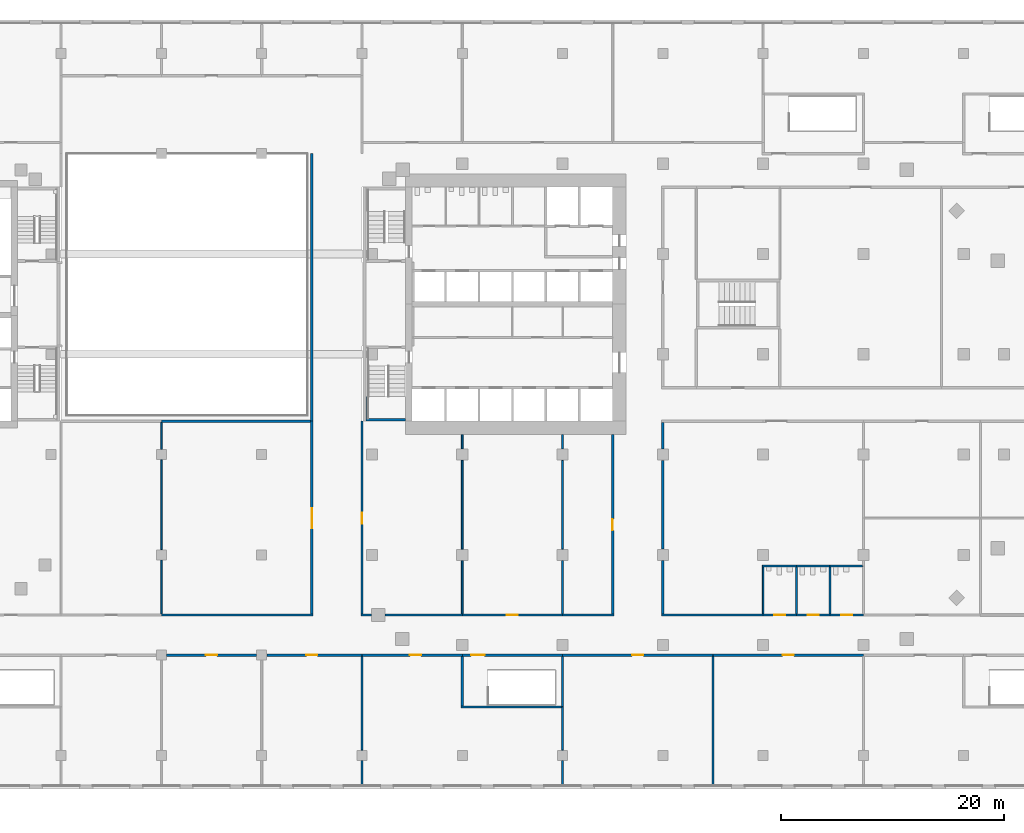
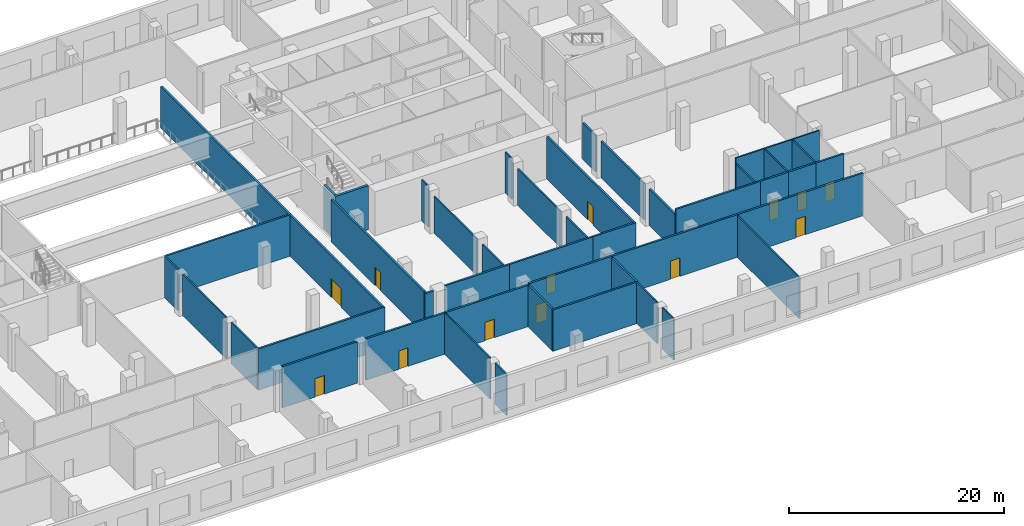
# One storey, part 9 of 20: 48 walls, 13 doors, 13 openings.
"""IFC4 building model written with IfcOpenShell, lengths in metres."""

from ifc_helpers import new_model, si_unit, direction, frame, frame_2d, origin, origin_with_axes, place, context, subcontext, project, spatial, rectangle, extrude, material, layer, layer_set, type_object, element, fill, save


model = new_model("IFC4")

# Units and contexts
model_context = context("Model", 3, precision=1e-05, world=origin(), true_north=direction((0.0, 1.0)))
body_context = subcontext(model_context, "Body", "Model", "MODEL_VIEW")
ifc_project = project(units=[si_unit("LENGTHUNIT", "METRE"), si_unit("AREAUNIT", "SQUARE_METRE"), si_unit("VOLUMEUNIT", "CUBIC_METRE"), si_unit("PLANEANGLEUNIT", "RADIAN"), si_unit("MASSUNIT", "GRAM", prefix="KILO")], contexts=[model_context])

# Site, building, storey
site_placement = place(None, origin())
site = spatial("IfcSite", under=ifc_project, at=site_placement, CompositionType="ELEMENT")
building_placement = place(site_placement, origin())
building = spatial("IfcBuilding", under=site, at=building_placement, Name="Cinnabar Reach Civic Tower", CompositionType="ELEMENT")
storey_placement = place(building_placement, frame((0.0, 0.0, 21.0)))
storey = spatial("IfcBuildingStorey", under=building, at=storey_placement, Name="L04", CompositionType="ELEMENT", Elevation=21.0)

# Wall, opening, door
ifc_material_1 = material(Name="Concrete blockwork", Category="masonry")
ifc_layer_1 = layer(ifc_material_1, 0.2)
ifc_layer_set_1 = layer_set([ifc_layer_1], Name="Podium masonry corridor wall 200 EI 120")
wall_type_1 = type_object("IfcWallType", Name="Podium masonry corridor wall 200 EI 120", PredefinedType="PARTITIONING", material=ifc_layer_set_1)
wall_1_placement = place(storey_placement, origin_with_axes())
wall_1 = element("IfcWall", 1, at=wall_1_placement, inside=storey, type_object=wall_type_1, Name="Wall L04 49", PredefinedType="PARTITIONING", context=body_context, shape_type="SweptSolid", body=[
    extrude(rectangle(XDim=9.0, YDim=0.2, at=frame_2d((4.5, 0.0))), origin(), (0.0, 0.0, 1.0), 4.7),
])
opening_1_placement = place(wall_1_placement, frame((4.3, 0.0, 0.0)))
opening_1 = element("IfcOpeningElement", 2, at=opening_1_placement, cuts=wall_1, Name="Opening D1233", PredefinedType="OPENING", context=body_context, shape_type="SweptSolid", body=[
    extrude(rectangle(XDim=1.0, YDim=2.1, at=frame_2d((0.5, 1.05))), frame((0.0, 0.11, 0.0), z_axis=(0.0, -1.0, 0.0), x_axis=(1.0, 0.0, 0.0)), (0.0, 0.0, 1.0), 0.22),
])
ifc_material_2 = material(Name="Painted steel door leaf", Category="steel")
door_type_1 = type_object("IfcDoorType", Name="Podium single door 1000x2100", OperationType="SINGLE_SWING_LEFT", PredefinedType="DOOR", material=ifc_material_2)
door_1_placement = place(opening_1_placement, frame((1.0, 0.0, 0.0), z_axis=(0.0, 0.0, 1.0), x_axis=(-1.0, 0.0, 0.0)))
door_1 = element("IfcDoor", 3, at=door_1_placement, inside=storey, type_object=door_type_1, Name="Door D1233", OperationType="SINGLE_SWING_LEFT", OverallHeight=2.1, OverallWidth=1.0, PredefinedType="DOOR", context=body_context, shape_type="SweptSolid", body=[
    extrude(rectangle(XDim=1.0, YDim=2.1, at=frame_2d((0.5, 1.05))), frame((0.0, 0.025, 0.0), z_axis=(0.0, -1.0, 0.0), x_axis=(1.0, 0.0, 0.0)), (0.0, 0.0, 1.0), 0.05),
])
fill(opening_1, door_1)

# Walls
wall_2_placement = place(storey_placement, frame((-0.1, 3.6, 0.0), z_axis=(0.0, 0.0, 1.0), x_axis=(1.0, 0.0, 0.0)))
element("IfcWall", 4, at=wall_2_placement, inside=storey, type_object=wall_type_1, Name="Wall L04 51", PredefinedType="PARTITIONING", context=body_context, shape_type="SweptSolid", body=[
    extrude(rectangle(XDim=0.9331, YDim=0.2, at=frame_2d((0.4666, 0.0))), origin(), (0.0, 0.0, 1.0), 4.7),
])
wall_3_placement = place(storey_placement, frame((2.0731, 3.6, 0.0), z_axis=(0.0, 0.0, 1.0), x_axis=(1.0, 0.0, 0.0)))
element("IfcWall", 5, at=wall_3_placement, inside=storey, type_object=wall_type_1, Name="Wall L04 52", PredefinedType="PARTITIONING", context=body_context, shape_type="SweptSolid", body=[
    extrude(rectangle(XDim=6.9269, YDim=0.2, at=frame_2d((3.4634, 0.0))), origin(), (0.0, 0.0, 1.0), 4.85),
])

# Wall, opening, door
wall_4_placement = place(storey_placement, frame((9.0, 3.6, 0.0), z_axis=(0.0, 0.0, 1.0), x_axis=(1.0, 0.0, 0.0)))
wall_4 = element("IfcWall", 6, at=wall_4_placement, inside=storey, type_object=wall_type_1, Name="Wall L04 53", PredefinedType="PARTITIONING", context=body_context, shape_type="SweptSolid", body=[
    extrude(rectangle(XDim=9.0, YDim=0.2, at=frame_2d((4.5, 0.0))), origin(), (0.0, 0.0, 1.0), 4.85),
])
opening_2_placement = place(wall_4_placement, frame((4.0, 0.0, 0.0)))
opening_2 = element("IfcOpeningElement", 7, at=opening_2_placement, cuts=wall_4, Name="Opening D1238", PredefinedType="OPENING", context=body_context, shape_type="SweptSolid", body=[
    extrude(rectangle(XDim=1.0, YDim=2.1, at=frame_2d((0.5, 1.05))), frame((0.0, 0.11, 0.0), z_axis=(0.0, -1.0, 0.0), x_axis=(1.0, 0.0, 0.0)), (0.0, 0.0, 1.0), 0.22),
])
door_2_placement = place(opening_2_placement, origin())
door_2 = element("IfcDoor", 8, at=door_2_placement, inside=storey, type_object=door_type_1, Name="Door D1238", OperationType="SINGLE_SWING_LEFT", OverallHeight=2.1, OverallWidth=1.0, PredefinedType="DOOR", context=body_context, shape_type="SweptSolid", body=[
    extrude(rectangle(XDim=1.0, YDim=2.1, at=frame_2d((0.5, 1.05))), frame((0.0, 0.025, 0.0), z_axis=(0.0, -1.0, 0.0), x_axis=(1.0, 0.0, 0.0)), (0.0, 0.0, 1.0), 0.05),
])
fill(opening_2, door_2)

# Walls
wall_5_placement = place(storey_placement, frame((18.0, 3.6, 0.0), z_axis=(0.0, 0.0, 1.0), x_axis=(1.0, 0.0, 0.0)))
element("IfcWall", 9, at=wall_5_placement, inside=storey, type_object=wall_type_1, Name="Wall L04 54", PredefinedType="PARTITIONING", context=body_context, shape_type="SweptSolid", body=[
    extrude(rectangle(XDim=4.6, YDim=0.2, at=frame_2d((2.3, 0.0))), origin(), (0.0, 0.0, 1.0), 4.85),
])
wall_6_placement = place(storey_placement, frame((26.9, 3.6, 0.0), z_axis=(0.0, 0.0, 1.0), x_axis=(1.0, 0.0, 0.0)))
element("IfcWall", 10, at=wall_6_placement, inside=storey, type_object=wall_type_1, Name="Wall L04 55", PredefinedType="PARTITIONING", context=body_context, shape_type="SweptSolid", body=[
    extrude(rectangle(XDim=9.1, YDim=0.2, at=frame_2d((4.55, 0.0))), origin(), (0.0, 0.0, 1.0), 4.85),
])

# Wall, opening, door
wall_7_placement = place(storey_placement, frame((36.0, 3.6, 0.0), z_axis=(0.0, 0.0, 1.0), x_axis=(1.0, 0.0, 0.0)))
wall_7 = element("IfcWall", 11, at=wall_7_placement, inside=storey, type_object=wall_type_1, Name="Wall L04 56", PredefinedType="PARTITIONING", context=body_context, shape_type="SweptSolid", body=[
    extrude(rectangle(XDim=3.0, YDim=0.2, at=frame_2d((1.5, 0.0))), origin(), (0.0, 0.0, 1.0), 4.85),
])
opening_3_placement = place(wall_7_placement, frame((1.0, 0.0, 0.0)))
opening_3 = element("IfcOpeningElement", 12, at=opening_3_placement, cuts=wall_7, Name="Opening D1241", PredefinedType="OPENING", context=body_context, shape_type="SweptSolid", body=[
    extrude(rectangle(XDim=1.0, YDim=2.1, at=frame_2d((0.5, 1.05))), frame((0.0, 0.11, 0.0), z_axis=(0.0, -1.0, 0.0), x_axis=(1.0, 0.0, 0.0)), (0.0, 0.0, 1.0), 0.22),
])
door_3_placement = place(opening_3_placement, origin())
door_3 = element("IfcDoor", 13, at=door_3_placement, inside=storey, type_object=door_type_1, Name="Door D1241", OperationType="SINGLE_SWING_LEFT", OverallHeight=2.1, OverallWidth=1.0, PredefinedType="DOOR", context=body_context, shape_type="SweptSolid", body=[
    extrude(rectangle(XDim=1.0, YDim=2.1, at=frame_2d((0.5, 1.05))), frame((0.0, 0.025, 0.0), z_axis=(0.0, -1.0, 0.0), x_axis=(1.0, 0.0, 0.0)), (0.0, 0.0, 1.0), 0.05),
])
fill(opening_3, door_3)

wall_8_placement = place(storey_placement, frame((39.0, 3.6, 0.0), z_axis=(0.0, 0.0, 1.0), x_axis=(1.0, 0.0, 0.0)))
wall_8 = element("IfcWall", 14, at=wall_8_placement, inside=storey, type_object=wall_type_1, Name="Wall L04 57", PredefinedType="PARTITIONING", context=body_context, shape_type="SweptSolid", body=[
    extrude(rectangle(XDim=3.0, YDim=0.2, at=frame_2d((1.5, 0.0))), origin(), (0.0, 0.0, 1.0), 4.85),
])
opening_4_placement = place(wall_8_placement, frame((1.0, 0.0, 0.0)))
opening_4 = element("IfcOpeningElement", 15, at=opening_4_placement, cuts=wall_8, Name="Opening D1242", PredefinedType="OPENING", context=body_context, shape_type="SweptSolid", body=[
    extrude(rectangle(XDim=1.0, YDim=2.1, at=frame_2d((0.5, 1.05))), frame((0.0, 0.11, 0.0), z_axis=(0.0, -1.0, 0.0), x_axis=(1.0, 0.0, 0.0)), (0.0, 0.0, 1.0), 0.22),
])
door_4_placement = place(opening_4_placement, origin())
door_4 = element("IfcDoor", 16, at=door_4_placement, inside=storey, type_object=door_type_1, Name="Door D1242", OperationType="SINGLE_SWING_RIGHT", OverallHeight=2.1, OverallWidth=1.0, PredefinedType="DOOR", context=body_context, shape_type="SweptSolid", body=[
    extrude(rectangle(XDim=1.0, YDim=2.1, at=frame_2d((0.5, 1.05))), frame((0.0, 0.025, 0.0), z_axis=(0.0, -1.0, 0.0), x_axis=(1.0, 0.0, 0.0)), (0.0, 0.0, 1.0), 0.05),
])
fill(opening_4, door_4)

wall_9_placement = place(storey_placement, frame((42.0, 3.6, 0.0), z_axis=(0.0, 0.0, 1.0), x_axis=(1.0, 0.0, 0.0)))
wall_9 = element("IfcWall", 17, at=wall_9_placement, inside=storey, type_object=wall_type_1, Name="Wall L04 58", PredefinedType="PARTITIONING", context=body_context, shape_type="SweptSolid", body=[
    extrude(rectangle(XDim=3.0, YDim=0.2, at=frame_2d((1.5, 0.0))), origin(), (0.0, 0.0, 1.0), 4.85),
])
opening_5_placement = place(wall_9_placement, frame((1.0, 0.0, 0.0)))
opening_5 = element("IfcOpeningElement", 18, at=opening_5_placement, cuts=wall_9, Name="Opening D1243", PredefinedType="OPENING", context=body_context, shape_type="SweptSolid", body=[
    extrude(rectangle(XDim=1.0, YDim=2.1, at=frame_2d((0.5, 1.05))), frame((0.0, 0.11, 0.0), z_axis=(0.0, -1.0, 0.0), x_axis=(1.0, 0.0, 0.0)), (0.0, 0.0, 1.0), 0.22),
])
door_5_placement = place(opening_5_placement, origin())
door_5 = element("IfcDoor", 19, at=door_5_placement, inside=storey, type_object=door_type_1, Name="Door D1243", OperationType="SINGLE_SWING_LEFT", OverallHeight=2.1, OverallWidth=1.0, PredefinedType="DOOR", context=body_context, shape_type="SweptSolid", body=[
    extrude(rectangle(XDim=1.0, YDim=2.1, at=frame_2d((0.5, 1.05))), frame((0.0, 0.025, 0.0), z_axis=(0.0, -1.0, 0.0), x_axis=(1.0, 0.0, 0.0)), (0.0, 0.0, 1.0), 0.05),
])
fill(opening_5, door_5)

wall_10_placement = place(storey_placement, frame((18.0, 0.0, 0.0), z_axis=(0.0, 0.0, 1.0), x_axis=(1.0, 0.0, 0.0)))
wall_10 = element("IfcWall", 20, at=wall_10_placement, inside=storey, type_object=wall_type_1, Name="Wall L04 61", PredefinedType="PARTITIONING", context=body_context, shape_type="SweptSolid", body=[
    extrude(rectangle(XDim=13.5, YDim=0.2, at=frame_2d((6.75, 0.0))), origin(), (0.0, 0.0, 1.0), 4.85),
])
opening_6_placement = place(wall_10_placement, frame((6.25, 0.0, 0.0)))
opening_6 = element("IfcOpeningElement", 21, at=opening_6_placement, cuts=wall_10, Name="Opening D1269", PredefinedType="OPENING", context=body_context, shape_type="SweptSolid", body=[
    extrude(rectangle(XDim=1.0, YDim=2.1, at=frame_2d((0.5, 1.05))), frame((0.0, 0.11, 0.0), z_axis=(0.0, -1.0, 0.0), x_axis=(1.0, 0.0, 0.0)), (0.0, 0.0, 1.0), 0.22),
])
door_6_placement = place(opening_6_placement, frame((1.0, 0.0, 0.0), z_axis=(0.0, 0.0, 1.0), x_axis=(-1.0, 0.0, 0.0)))
door_6 = element("IfcDoor", 22, at=door_6_placement, inside=storey, type_object=door_type_1, Name="Door D1269", OperationType="SINGLE_SWING_RIGHT", OverallHeight=2.1, OverallWidth=1.0, PredefinedType="DOOR", context=body_context, shape_type="SweptSolid", body=[
    extrude(rectangle(XDim=1.0, YDim=2.1, at=frame_2d((0.5, 1.05))), frame((0.0, 0.025, 0.0), z_axis=(0.0, -1.0, 0.0), x_axis=(1.0, 0.0, 0.0)), (0.0, 0.0, 1.0), 0.05),
])
fill(opening_6, door_6)

wall_11_placement = place(storey_placement, frame((31.5, 0.0, 0.0), z_axis=(0.0, 0.0, 1.0), x_axis=(1.0, 0.0, 0.0)))
wall_11 = element("IfcWall", 23, at=wall_11_placement, inside=storey, type_object=wall_type_1, Name="Wall L04 62", PredefinedType="PARTITIONING", context=body_context, shape_type="SweptSolid", body=[
    extrude(rectangle(XDim=13.5, YDim=0.2, at=frame_2d((6.75, 0.0))), origin(), (0.0, 0.0, 1.0), 4.85),
])
opening_7_placement = place(wall_11_placement, frame((6.25, 0.0, 0.0)))
opening_7 = element("IfcOpeningElement", 24, at=opening_7_placement, cuts=wall_11, Name="Opening D1270", PredefinedType="OPENING", context=body_context, shape_type="SweptSolid", body=[
    extrude(rectangle(XDim=1.0, YDim=2.1, at=frame_2d((0.5, 1.05))), frame((0.0, 0.11, 0.0), z_axis=(0.0, -1.0, 0.0), x_axis=(1.0, 0.0, 0.0)), (0.0, 0.0, 1.0), 0.22),
])
door_7_placement = place(opening_7_placement, frame((1.0, 0.0, 0.0), z_axis=(0.0, 0.0, 1.0), x_axis=(-1.0, 0.0, 0.0)))
door_7 = element("IfcDoor", 25, at=door_7_placement, inside=storey, type_object=door_type_1, Name="Door D1270", OperationType="SINGLE_SWING_LEFT", OverallHeight=2.1, OverallWidth=1.0, PredefinedType="DOOR", context=body_context, shape_type="SweptSolid", body=[
    extrude(rectangle(XDim=1.0, YDim=2.1, at=frame_2d((0.5, 1.05))), frame((0.0, 0.025, 0.0), z_axis=(0.0, -1.0, 0.0), x_axis=(1.0, 0.0, 0.0)), (0.0, 0.0, 1.0), 0.05),
])
fill(opening_7, door_7)

wall_12_placement = place(storey_placement, frame((22.5, 3.7, 0.0), z_axis=(0.0, 0.0, 1.0), x_axis=(0.0, 1.0, 0.0)))
wall_12 = element("IfcWall", 26, at=wall_12_placement, inside=storey, type_object=wall_type_1, Name="Wall L04 103", PredefinedType="PARTITIONING", context=body_context, shape_type="SweptSolid", body=[
    extrude(rectangle(XDim=16.1, YDim=0.2, at=frame_2d((8.05, 0.0))), origin(), (0.0, 0.0, 1.0), 4.85),
])
opening_8_placement = place(wall_12_placement, frame((7.5, 0.0, 0.0)))
opening_8 = element("IfcOpeningElement", 27, at=opening_8_placement, cuts=wall_12, Name="Opening D1239", PredefinedType="OPENING", context=body_context, shape_type="SweptSolid", body=[
    extrude(rectangle(XDim=1.0, YDim=2.1, at=frame_2d((0.5, 1.05))), frame((0.0, 0.11, 0.0), z_axis=(0.0, -1.0, 0.0), x_axis=(1.0, 0.0, 0.0)), (0.0, 0.0, 1.0), 0.22),
])
door_8_placement = place(opening_8_placement, origin())
door_8 = element("IfcDoor", 28, at=door_8_placement, inside=storey, type_object=door_type_1, Name="Door D1239", OperationType="SINGLE_SWING_LEFT", OverallHeight=2.1, OverallWidth=1.0, PredefinedType="DOOR", context=body_context, shape_type="SweptSolid", body=[
    extrude(rectangle(XDim=1.0, YDim=2.1, at=frame_2d((0.5, 1.05))), frame((0.0, 0.025, 0.0), z_axis=(0.0, -1.0, 0.0), x_axis=(1.0, 0.0, 0.0)), (0.0, 0.0, 1.0), 0.05),
])
fill(opening_8, door_8)

# Walls
wall_13_placement = place(storey_placement, frame((27.0, 3.7, 0.0), z_axis=(0.0, 0.0, 1.0), x_axis=(0.0, 1.0, 0.0)))
element("IfcWall", 29, at=wall_13_placement, inside=storey, type_object=wall_type_1, Name="Wall L04 104", PredefinedType="PARTITIONING", context=body_context, shape_type="SweptSolid", body=[
    extrude(rectangle(XDim=4.78, YDim=0.2, at=frame_2d((2.39, 0.0))), origin(), (0.0, 0.0, 1.0), 4.158),
])
wall_14_placement = place(storey_placement, frame((27.0, 9.52, 0.0), z_axis=(0.0, 0.0, 1.0), x_axis=(0.0, 1.0, 0.0)))
element("IfcWall", 30, at=wall_14_placement, inside=storey, type_object=wall_type_1, Name="Wall L04 105", PredefinedType="PARTITIONING", context=body_context, shape_type="SweptSolid", body=[
    extrude(rectangle(XDim=7.96, YDim=0.2, at=frame_2d((3.98, 0.0))), origin(), (0.0, 0.0, 1.0), 4.158),
])
wall_15_placement = place(storey_placement, frame((27.0, 18.52, 0.0), z_axis=(0.0, 0.0, 1.0), x_axis=(0.0, 1.0, 0.0)))
element("IfcWall", 31, at=wall_15_placement, inside=storey, type_object=wall_type_1, Name="Wall L04 106", PredefinedType="PARTITIONING", context=body_context, shape_type="SweptSolid", body=[
    extrude(rectangle(XDim=2.38, YDim=0.2, at=frame_2d((1.19, 0.0))), origin(), (0.0, 0.0, 1.0), 4.158),
])
wall_16_placement = place(storey_placement, frame((-18.0, 3.6, 0.0), z_axis=(0.0, 0.0, 1.0), x_axis=(1.0, 0.0, 0.0)))
element("IfcWall", 32, at=wall_16_placement, inside=storey, type_object=wall_type_1, Name="Wall L04 119", PredefinedType="PARTITIONING", context=body_context, shape_type="SweptSolid", body=[
    extrude(rectangle(XDim=13.6, YDim=0.2, at=frame_2d((6.8, 0.0))), origin(), (0.0, 0.0, 1.0), 4.7),
])

# Wall, opening, door
wall_17_placement = place(storey_placement, frame((-17.53, 0.0, 0.0), z_axis=(0.0, 0.0, 1.0), x_axis=(1.0, 0.0, 0.0)))
wall_17 = element("IfcWall", 33, at=wall_17_placement, inside=storey, type_object=wall_type_1, Name="Wall L04 121", PredefinedType="PARTITIONING", context=body_context, shape_type="SweptSolid", body=[
    extrude(rectangle(XDim=8.06, YDim=0.2, at=frame_2d((4.03, 0.0))), origin(), (0.0, 0.0, 1.0), 4.7),
])
opening_9_placement = place(wall_17_placement, frame((3.53, 0.0, 0.0)))
opening_9 = element("IfcOpeningElement", 34, at=opening_9_placement, cuts=wall_17, Name="Opening D1228", PredefinedType="OPENING", context=body_context, shape_type="SweptSolid", body=[
    extrude(rectangle(XDim=1.0, YDim=2.1, at=frame_2d((0.5, 1.05))), frame((0.0, 0.11, 0.0), z_axis=(0.0, -1.0, 0.0), x_axis=(1.0, 0.0, 0.0)), (0.0, 0.0, 1.0), 0.22),
])
door_9_placement = place(opening_9_placement, frame((1.0, 0.0, 0.0), z_axis=(0.0, 0.0, 1.0), x_axis=(-1.0, 0.0, 0.0)))
door_9 = element("IfcDoor", 35, at=door_9_placement, inside=storey, type_object=door_type_1, Name="Door D1228", OperationType="SINGLE_SWING_LEFT", OverallHeight=2.1, OverallWidth=1.0, PredefinedType="DOOR", context=body_context, shape_type="SweptSolid", body=[
    extrude(rectangle(XDim=1.0, YDim=2.1, at=frame_2d((0.5, 1.05))), frame((0.0, 0.025, 0.0), z_axis=(0.0, -1.0, 0.0), x_axis=(1.0, 0.0, 0.0)), (0.0, 0.0, 1.0), 0.05),
])
fill(opening_9, door_9)

wall_18_placement = place(storey_placement, frame((-8.53, 0.0, 0.0), z_axis=(0.0, 0.0, 1.0), x_axis=(1.0, 0.0, 0.0)))
wall_18 = element("IfcWall", 36, at=wall_18_placement, inside=storey, type_object=wall_type_1, Name="Wall L04 122", PredefinedType="PARTITIONING", context=body_context, shape_type="SweptSolid", body=[
    extrude(rectangle(XDim=8.53, YDim=0.2, at=frame_2d((4.265, 0.0))), origin(), (0.0, 0.0, 1.0), 4.7),
])
opening_10_placement = place(wall_18_placement, frame((3.53, 0.0, 0.0)))
opening_10 = element("IfcOpeningElement", 37, at=opening_10_placement, cuts=wall_18, Name="Opening D1229", PredefinedType="OPENING", context=body_context, shape_type="SweptSolid", body=[
    extrude(rectangle(XDim=1.0, YDim=2.1, at=frame_2d((0.5, 1.05))), frame((0.0, 0.11, 0.0), z_axis=(0.0, -1.0, 0.0), x_axis=(1.0, 0.0, 0.0)), (0.0, 0.0, 1.0), 0.22),
])
door_10_placement = place(opening_10_placement, frame((1.0, 0.0, 0.0), z_axis=(0.0, 0.0, 1.0), x_axis=(-1.0, 0.0, 0.0)))
door_10 = element("IfcDoor", 38, at=door_10_placement, inside=storey, type_object=door_type_1, Name="Door D1229", OperationType="SINGLE_SWING_RIGHT", OverallHeight=2.1, OverallWidth=1.0, PredefinedType="DOOR", context=body_context, shape_type="SweptSolid", body=[
    extrude(rectangle(XDim=1.0, YDim=2.1, at=frame_2d((0.5, 1.05))), frame((0.0, 0.025, 0.0), z_axis=(0.0, -1.0, 0.0), x_axis=(1.0, 0.0, 0.0)), (0.0, 0.0, 1.0), 0.05),
])
fill(opening_10, door_10)

# Wall
wall_19_placement = place(storey_placement, frame((-4.5, 21.0, 0.0), z_axis=(0.0, 0.0, 1.0), x_axis=(0.0, 1.0, 0.0)))
element("IfcWall", 39, at=wall_19_placement, inside=storey, type_object=wall_type_1, Name="Wall L04 123", PredefinedType="PARTITIONING", context=body_context, shape_type="SweptSolid", body=[
    extrude(rectangle(XDim=24.0, YDim=0.2, at=frame_2d((12.0, 0.0))), origin(), (0.0, 0.0, 1.0), 4.7),
])

# Wall, opening, door
wall_20_placement = place(storey_placement, frame((-4.5, 3.7, 0.0), z_axis=(0.0, 0.0, 1.0), x_axis=(0.0, 1.0, 0.0)))
wall_20 = element("IfcWall", 40, at=wall_20_placement, inside=storey, type_object=wall_type_1, Name="Wall L04 124", PredefinedType="PARTITIONING", context=body_context, shape_type="SweptSolid", body=[
    extrude(rectangle(XDim=17.3, YDim=0.2, at=frame_2d((8.65, 0.0))), origin(), (0.0, 0.0, 1.0), 4.7),
])
opening_11_placement = place(wall_20_placement, frame((7.7, 0.0, 0.0)))
opening_11 = element("IfcOpeningElement", 41, at=opening_11_placement, cuts=wall_20, Name="Opening D1226", PredefinedType="OPENING", context=body_context, shape_type="SweptSolid", body=[
    extrude(rectangle(XDim=1.8, YDim=2.1, at=frame_2d((0.9, 1.05))), frame((0.0, 0.11, 0.0), z_axis=(0.0, -1.0, 0.0), x_axis=(1.0, 0.0, 0.0)), (0.0, 0.0, 1.0), 0.22),
])
door_type_2 = type_object("IfcDoorType", Name="Podium double door 1800x2100", OperationType="DOUBLE_DOOR_SINGLE_SWING", PredefinedType="DOOR", material=ifc_material_2)
door_11_placement = place(opening_11_placement, origin())
door_11 = element("IfcDoor", 42, at=door_11_placement, inside=storey, type_object=door_type_2, Name="Door D1226", OperationType="DOUBLE_DOOR_SINGLE_SWING", OverallHeight=2.1, OverallWidth=1.8, PredefinedType="DOOR", context=body_context, shape_type="SweptSolid", body=[
    extrude(rectangle(XDim=1.8, YDim=2.1, at=frame_2d((0.9, 1.05))), frame((0.0, 0.025, 0.0), z_axis=(0.0, -1.0, 0.0), x_axis=(1.0, 0.0, 0.0)), (0.0, 0.0, 1.0), 0.05),
])
fill(opening_11, door_11)

wall_21_placement = place(storey_placement, frame((0.0, 3.7, 0.0), z_axis=(0.0, 0.0, 1.0), x_axis=(0.0, 1.0, 0.0)))
wall_21 = element("IfcWall", 43, at=wall_21_placement, inside=storey, type_object=wall_type_1, Name="Wall L04 125", PredefinedType="PARTITIONING", context=body_context, shape_type="SweptSolid", body=[
    extrude(rectangle(XDim=17.3, YDim=0.2, at=frame_2d((8.65, 0.0))), origin(), (0.0, 0.0, 1.0), 4.85),
])
opening_12_placement = place(wall_21_placement, frame((8.1, 0.0, 0.0)))
opening_12 = element("IfcOpeningElement", 44, at=opening_12_placement, cuts=wall_21, Name="Opening D1237", PredefinedType="OPENING", context=body_context, shape_type="SweptSolid", body=[
    extrude(rectangle(XDim=1.0, YDim=2.1, at=frame_2d((0.5, 1.05))), frame((0.0, 0.11, 0.0), z_axis=(0.0, -1.0, 0.0), x_axis=(1.0, 0.0, 0.0)), (0.0, 0.0, 1.0), 0.22),
])
door_12_placement = place(opening_12_placement, frame((1.0, 0.0, 0.0), z_axis=(0.0, 0.0, 1.0), x_axis=(-1.0, 0.0, 0.0)))
door_12 = element("IfcDoor", 45, at=door_12_placement, inside=storey, type_object=door_type_1, Name="Door D1237", OperationType="SINGLE_SWING_RIGHT", OverallHeight=2.1, OverallWidth=1.0, PredefinedType="DOOR", context=body_context, shape_type="SweptSolid", body=[
    extrude(rectangle(XDim=1.0, YDim=2.1, at=frame_2d((0.5, 1.05))), frame((0.0, 0.025, 0.0), z_axis=(0.0, -1.0, 0.0), x_axis=(1.0, 0.0, 0.0)), (0.0, 0.0, 1.0), 0.05),
])
fill(opening_12, door_12)

# Walls
wall_22_placement = place(storey_placement, frame((-18.0, 21.0, 0.0), z_axis=(0.0, 0.0, 1.0), x_axis=(1.0, 0.0, 0.0)))
element("IfcWall", 46, at=wall_22_placement, inside=storey, type_object=wall_type_1, Name="Wall L04 127", PredefinedType="PARTITIONING", context=body_context, shape_type="SweptSolid", body=[
    extrude(rectangle(XDim=13.4, YDim=0.2, at=frame_2d((6.7, 0.0))), origin(), (0.0, 0.0, 1.0), 4.7),
])
ifc_material_3 = material(Name="Gypsum board on steel studs", Category="steel")
ifc_layer_2 = layer(ifc_material_3, 0.15)
ifc_layer_set_2 = layer_set([ifc_layer_2], Name="Podium partition wall 150 EI 90")
wall_type_2 = type_object("IfcWallType", Name="Podium partition wall 150 EI 90", PredefinedType="PARTITIONING", material=ifc_layer_set_2)
wall_23_placement = place(storey_placement, frame((-18.0, 3.7, 0.0), z_axis=(0.0, 0.0, 1.0), x_axis=(0.0, 1.0, 0.0)))
element("IfcWall", 47, at=wall_23_placement, inside=storey, type_object=wall_type_2, Name="Wall L04 141", PredefinedType="PARTITIONING", context=body_context, shape_type="SweptSolid", body=[
    extrude(rectangle(XDim=4.83, YDim=0.15, at=frame_2d((2.415, 0.0))), origin(), (0.0, 0.0, 1.0), 4.7),
])
wall_24_placement = place(storey_placement, frame((-18.0, 9.47, 0.0), z_axis=(0.0, 0.0, 1.0), x_axis=(0.0, 1.0, 0.0)))
element("IfcWall", 48, at=wall_24_placement, inside=storey, type_object=wall_type_2, Name="Wall L04 142", PredefinedType="PARTITIONING", context=body_context, shape_type="SweptSolid", body=[
    extrude(rectangle(XDim=8.06, YDim=0.15, at=frame_2d((4.03, 0.0))), origin(), (0.0, 0.0, 1.0), 4.7),
])
wall_25_placement = place(storey_placement, frame((-18.0, 18.47, 0.0), z_axis=(0.0, 0.0, 1.0), x_axis=(0.0, 1.0, 0.0)))
element("IfcWall", 49, at=wall_25_placement, inside=storey, type_object=wall_type_2, Name="Wall L04 143", PredefinedType="PARTITIONING", context=body_context, shape_type="SweptSolid", body=[
    extrude(rectangle(XDim=2.43, YDim=0.15, at=frame_2d((1.215, 0.0))), origin(), (0.0, 0.0, 1.0), 4.7),
])
wall_26_placement = place(storey_placement, frame((0.0, -11.6, 0.0), z_axis=(0.0, 0.0, 1.0), x_axis=(0.0, 1.0, 0.0)))
element("IfcWall", 50, at=wall_26_placement, inside=storey, type_object=wall_type_2, Name="Wall L04 151", PredefinedType="PARTITIONING", context=body_context, shape_type="SweptSolid", body=[
    extrude(rectangle(XDim=2.13, YDim=0.15, at=frame_2d((1.065, 0.0))), origin(), (0.0, 0.0, 1.0), 4.7),
])
wall_27_placement = place(storey_placement, frame((0.0, -8.53, 0.0), z_axis=(0.0, 0.0, 1.0), x_axis=(0.0, 1.0, 0.0)))
element("IfcWall", 51, at=wall_27_placement, inside=storey, type_object=wall_type_2, Name="Wall L04 152", PredefinedType="PARTITIONING", context=body_context, shape_type="SweptSolid", body=[
    extrude(rectangle(XDim=8.43, YDim=0.15, at=frame_2d((4.215, 0.0))), origin(), (0.0, 0.0, 1.0), 4.7),
])
wall_28_placement = place(storey_placement, frame((18.0, -11.6, 0.0), z_axis=(0.0, 0.0, 1.0), x_axis=(0.0, 1.0, 0.0)))
element("IfcWall", 52, at=wall_28_placement, inside=storey, type_object=wall_type_2, Name="Wall L04 157", PredefinedType="PARTITIONING", context=body_context, shape_type="SweptSolid", body=[
    extrude(rectangle(XDim=2.13, YDim=0.15, at=frame_2d((1.065, 0.0))), origin(), (0.0, 0.0, 1.0), 4.7),
])
wall_29_placement = place(storey_placement, frame((18.0, -8.53, 0.0), z_axis=(0.0, 0.0, 1.0), x_axis=(0.0, 1.0, 0.0)))
element("IfcWall", 53, at=wall_29_placement, inside=storey, type_object=wall_type_2, Name="Wall L04 158", PredefinedType="PARTITIONING", context=body_context, shape_type="SweptSolid", body=[
    extrude(rectangle(XDim=3.88, YDim=0.15, at=frame_2d((1.94, 0.0))), origin(), (0.0, 0.0, 1.0), 4.7),
])
wall_30_placement = place(storey_placement, frame((9.0, 3.7, 0.0), z_axis=(0.0, 0.0, 1.0), x_axis=(0.0, 1.0, 0.0)))
element("IfcWall", 54, at=wall_30_placement, inside=storey, type_object=wall_type_2, Name="Wall L04 165", PredefinedType="PARTITIONING", context=body_context, shape_type="SweptSolid", body=[
    extrude(rectangle(XDim=4.78, YDim=0.15, at=frame_2d((2.39, 0.0))), origin(), (0.0, 0.0, 1.0), 4.158),
])
wall_31_placement = place(storey_placement, frame((9.0, 9.52, 0.0), z_axis=(0.0, 0.0, 1.0), x_axis=(0.0, 1.0, 0.0)))
element("IfcWall", 55, at=wall_31_placement, inside=storey, type_object=wall_type_2, Name="Wall L04 166", PredefinedType="PARTITIONING", context=body_context, shape_type="SweptSolid", body=[
    extrude(rectangle(XDim=7.96, YDim=0.15, at=frame_2d((3.98, 0.0))), origin(), (0.0, 0.0, 1.0), 4.158),
])
wall_32_placement = place(storey_placement, frame((9.0, 18.52, 0.0), z_axis=(0.0, 0.0, 1.0), x_axis=(0.0, 1.0, 0.0)))
element("IfcWall", 56, at=wall_32_placement, inside=storey, type_object=wall_type_2, Name="Wall L04 167", PredefinedType="PARTITIONING", context=body_context, shape_type="SweptSolid", body=[
    extrude(rectangle(XDim=1.28, YDim=0.15, at=frame_2d((0.64, 0.0))), origin(), (0.0, 0.0, 1.0), 4.652),
])
wall_33_placement = place(storey_placement, frame((18.0, 3.7, 0.0), z_axis=(0.0, 0.0, 1.0), x_axis=(0.0, 1.0, 0.0)))
element("IfcWall", 57, at=wall_33_placement, inside=storey, type_object=wall_type_2, Name="Wall L04 168", PredefinedType="PARTITIONING", context=body_context, shape_type="SweptSolid", body=[
    extrude(rectangle(XDim=4.78, YDim=0.15, at=frame_2d((2.39, 0.0))), origin(), (0.0, 0.0, 1.0), 4.158),
])
wall_34_placement = place(storey_placement, frame((18.0, 9.52, 0.0), z_axis=(0.0, 0.0, 1.0), x_axis=(0.0, 1.0, 0.0)))
element("IfcWall", 58, at=wall_34_placement, inside=storey, type_object=wall_type_2, Name="Wall L04 169", PredefinedType="PARTITIONING", context=body_context, shape_type="SweptSolid", body=[
    extrude(rectangle(XDim=7.96, YDim=0.15, at=frame_2d((3.98, 0.0))), origin(), (0.0, 0.0, 1.0), 4.158),
])
wall_35_placement = place(storey_placement, frame((18.0, 18.52, 0.0), z_axis=(0.0, 0.0, 1.0), x_axis=(0.0, 1.0, 0.0)))
element("IfcWall", 59, at=wall_35_placement, inside=storey, type_object=wall_type_2, Name="Wall L04 170", PredefinedType="PARTITIONING", context=body_context, shape_type="SweptSolid", body=[
    extrude(rectangle(XDim=1.28, YDim=0.15, at=frame_2d((0.64, 0.0))), origin(), (0.0, 0.0, 1.0), 4.652),
])
wall_36_placement = place(storey_placement, frame((35.925, 8.0, 0.0), z_axis=(0.0, 0.0, 1.0), x_axis=(1.0, 0.0, 0.0)))
element("IfcWall", 60, at=wall_36_placement, inside=storey, type_object=wall_type_2, Name="Wall L04 171", PredefinedType="PARTITIONING", context=body_context, shape_type="SweptSolid", body=[
    extrude(rectangle(XDim=3.075, YDim=0.15, at=frame_2d((1.5375, 0.0))), origin(), (0.0, 0.0, 1.0), 4.85),
])
wall_37_placement = place(storey_placement, frame((36.0, 3.7, 0.0), z_axis=(0.0, 0.0, 1.0), x_axis=(0.0, 1.0, 0.0)))
element("IfcWall", 61, at=wall_37_placement, inside=storey, type_object=wall_type_2, Name="Wall L04 172", PredefinedType="PARTITIONING", context=body_context, shape_type="SweptSolid", body=[
    extrude(rectangle(XDim=4.225, YDim=0.15, at=frame_2d((2.1125, 0.0))), origin(), (0.0, 0.0, 1.0), 4.158),
])
wall_38_placement = place(storey_placement, frame((39.0, 8.0, 0.0), z_axis=(0.0, 0.0, 1.0), x_axis=(1.0, 0.0, 0.0)))
element("IfcWall", 62, at=wall_38_placement, inside=storey, type_object=wall_type_2, Name="Wall L04 173", PredefinedType="PARTITIONING", context=body_context, shape_type="SweptSolid", body=[
    extrude(rectangle(XDim=3.0, YDim=0.15, at=frame_2d((1.5, 0.0))), origin(), (0.0, 0.0, 1.0), 4.85),
])
wall_39_placement = place(storey_placement, frame((42.0, 8.0, 0.0), z_axis=(0.0, 0.0, 1.0), x_axis=(1.0, 0.0, 0.0)))
element("IfcWall", 63, at=wall_39_placement, inside=storey, type_object=wall_type_2, Name="Wall L04 174", PredefinedType="PARTITIONING", context=body_context, shape_type="SweptSolid", body=[
    extrude(rectangle(XDim=2.925, YDim=0.15, at=frame_2d((1.4625, 0.0))), origin(), (0.0, 0.0, 1.0), 4.85),
])
for number, where, z_axis, x_axis, name in (
    (64, (39.0, 3.7, 0.0), (0.0, 0.0, 1.0), (0.0, 1.0, 0.0), "Wall L04 179"),
    (65, (42.0, 3.7, 0.0), (0.0, 0.0, 1.0), (0.0, 1.0, 0.0), "Wall L04 180"),
):
    element("IfcWall", number, at=place(storey_placement, frame(where, z_axis=z_axis, x_axis=x_axis)), inside=storey, type_object=wall_type_2, Name=name, PredefinedType="PARTITIONING", context=body_context, shape_type="SweptSolid", body=[
        extrude(rectangle(XDim=4.225, YDim=0.15, at=frame_2d((2.1125, 0.0))), origin(), (0.0, 0.0, 1.0), 4.85),
    ])
wall_40_placement = place(storey_placement, frame((31.5, -11.6, 0.0), z_axis=(0.0, 0.0, 1.0), x_axis=(0.0, 1.0, 0.0)))
element("IfcWall", 66, at=wall_40_placement, inside=storey, type_object=wall_type_2, Name="Wall L04 215", PredefinedType="PARTITIONING", context=body_context, shape_type="SweptSolid", body=[
    extrude(rectangle(XDim=11.5, YDim=0.15, at=frame_2d((5.75, 0.0))), origin(), (0.0, 0.0, 1.0), 4.7),
])

# Wall, opening, door
ifc_material_4 = material(Name="Concrete C40", Category="concrete")
ifc_layer_3 = layer(ifc_material_4, 0.2)
ifc_layer_set_3 = layer_set([ifc_layer_3], Name="Podium stair shaft wall 200 EI 120")
wall_type_3 = type_object("IfcWallType", Name="Podium stair shaft wall 200 EI 120", PredefinedType="SOLIDWALL", material=ifc_layer_set_3)
wall_41_placement = place(storey_placement, frame((9.0, 0.0, 0.0), z_axis=(0.0, 0.0, 1.0), x_axis=(1.0, 0.0, 0.0)))
wall_41 = element("IfcWall", 67, at=wall_41_placement, inside=storey, type_object=wall_type_3, Name="Wall L04 9", PredefinedType="SOLIDWALL", context=body_context, shape_type="SweptSolid", body=[
    extrude(rectangle(XDim=9.0, YDim=0.2, at=frame_2d((4.5, 0.0))), origin(), (0.0, 0.0, 1.0), 4.85),
])
opening_13_placement = place(wall_41_placement, frame((0.8, 0.0, 0.0)))
opening_13 = element("IfcOpeningElement", 68, at=opening_13_placement, cuts=wall_41, Name="Opening D1277", PredefinedType="OPENING", context=body_context, shape_type="SweptSolid", body=[
    extrude(rectangle(XDim=1.2, YDim=2.1, at=frame_2d((0.6, 1.05))), frame((0.0, 0.11, 0.0), z_axis=(0.0, -1.0, 0.0), x_axis=(1.0, 0.0, 0.0)), (0.0, 0.0, 1.0), 0.22),
])
door_type_3 = type_object("IfcDoorType", Name="Podium single door 1200x2100", OperationType="SINGLE_SWING_LEFT", PredefinedType="DOOR", material=ifc_material_2)
door_13_placement = place(opening_13_placement, frame((1.2, 0.0, 0.0), z_axis=(0.0, 0.0, 1.0), x_axis=(-1.0, 0.0, 0.0)))
door_13 = element("IfcDoor", 69, at=door_13_placement, inside=storey, type_object=door_type_3, Name="Door D1277", OperationType="SINGLE_SWING_RIGHT", OverallHeight=2.1, OverallWidth=1.2, PredefinedType="DOOR", context=body_context, shape_type="SweptSolid", body=[
    extrude(rectangle(XDim=1.2, YDim=2.1, at=frame_2d((0.6, 1.05))), frame((0.0, 0.025, 0.0), z_axis=(0.0, -1.0, 0.0), x_axis=(1.0, 0.0, 0.0)), (0.0, 0.0, 1.0), 0.05),
])
fill(opening_13, door_13)

# Walls
wall_42_placement = place(storey_placement, frame((8.9, -4.65, 0.0), z_axis=(0.0, 0.0, 1.0), x_axis=(1.0, 0.0, 0.0)))
element("IfcWall", 70, at=wall_42_placement, inside=storey, type_object=wall_type_3, Name="Wall L04 10", PredefinedType="SOLIDWALL", context=body_context, shape_type="SweptSolid", body=[
    extrude(rectangle(XDim=9.0, YDim=0.2, at=frame_2d((4.5, 0.0))), origin(), (0.0, 0.0, 1.0), 4.7),
])
wall_43_placement = place(storey_placement, frame((9.0, -4.55, 0.0), z_axis=(0.0, 0.0, 1.0), x_axis=(0.0, 1.0, 0.0)))
element("IfcWall", 71, at=wall_43_placement, inside=storey, type_object=wall_type_3, Name="Wall L04 11", PredefinedType="SOLIDWALL", context=body_context, shape_type="SweptSolid", body=[
    extrude(rectangle(XDim=4.45, YDim=0.2, at=frame_2d((2.225, 0.0))), origin(), (0.0, 0.0, 1.0), 4.7),
])
wall_44_placement = place(storey_placement, frame((18.0, -4.65, 0.0), z_axis=(0.0, 0.0, 1.0), x_axis=(0.0, 1.0, 0.0)))
element("IfcWall", 72, at=wall_44_placement, inside=storey, type_object=wall_type_3, Name="Wall L04 12", PredefinedType="SOLIDWALL", context=body_context, shape_type="SweptSolid", body=[
    extrude(rectangle(XDim=4.55, YDim=0.2, at=frame_2d((2.275, 0.0))), origin(), (0.0, 0.0, 1.0), 4.7),
])
ifc_material_5 = material(Name="Concrete C60", Category="concrete")
ifc_layer_4 = layer(ifc_material_5, 0.25)
ifc_layer_set_4 = layer_set([ifc_layer_4], Name="Stair shaft wall 250 EI 120")
wall_type_4 = type_object("IfcWallType", Name="Stair shaft wall 250 EI 120", PredefinedType="SOLIDWALL", material=ifc_layer_set_4)
wall_45_placement = place(storey_placement, frame((0.36, 21.125, 0.0), z_axis=(0.0, 0.0, 1.0), x_axis=(1.0, 0.0, 0.0)))
element("IfcWall", 73, at=wall_45_placement, inside=storey, type_object=wall_type_4, Name="Stair shaft wall T1-S1 L04", PredefinedType="SOLIDWALL", context=body_context, shape_type="SweptSolid", body=[
    extrude(rectangle(XDim=3.54, YDim=0.25, at=frame_2d((1.77, 0.0))), origin(), (0.0, 0.0, 1.0), 5.0),
])
ifc_material_6 = material(Name="Concrete C40/50", Category="concrete")
ifc_layer_5 = layer(ifc_material_6, 0.24)
ifc_layer_set_5 = layer_set([ifc_layer_5], Name="T1 landing bearer wall 240")
wall_type_5 = type_object("IfcWallType", Name="T1 landing bearer wall 240", PredefinedType="STANDARD", material=ifc_layer_set_5)
wall_46_placement = place(storey_placement, frame((0.48, 21.25, 0.0), z_axis=(0.0, 0.0, 1.0), x_axis=(0.0, 1.0, 0.0)))
element("IfcWall", 74, at=wall_46_placement, inside=storey, type_object=wall_type_5, Name="T1-S1 landing bearer wall", PredefinedType="STANDARD", context=body_context, shape_type="SweptSolid", body=[
    extrude(rectangle(XDim=1.955, YDim=0.24, at=frame_2d((0.9775, 0.0))), origin(), (0.0, 0.0, 1.0), 5.0),
])

save(model, "model.ifc")
